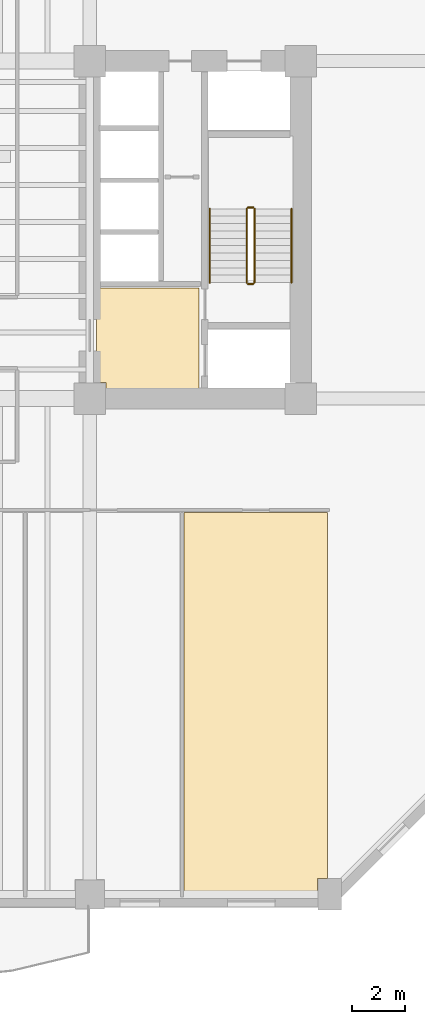
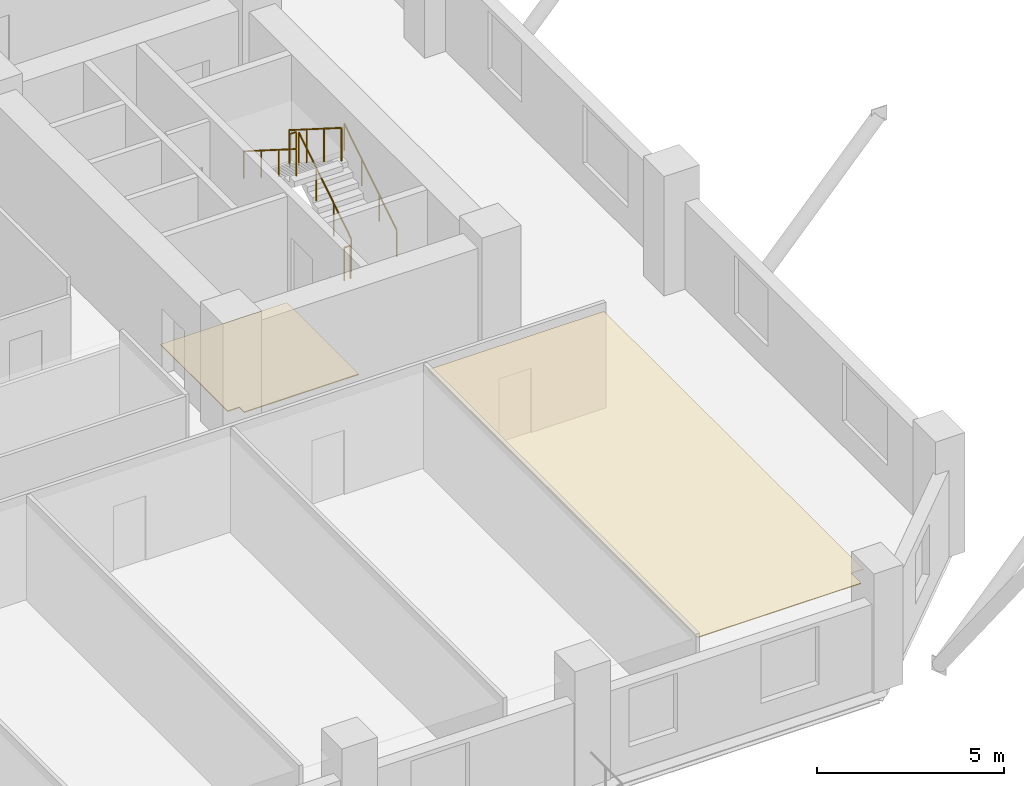
# One storey, part 11 of 13: 6 railings, 2 coverings.
"""IFC4 building model written with IfcOpenShell, lengths in metres."""

from ifc_helpers import new_model, si_unit, direction, frame, origin, origin_2d, place, context, subcontext, project, spatial, polyline, circle, outline, extrude, material, layer, layer_set, type_object, element, save


model = new_model("IFC4")

# Units and contexts
model_context = context("Model", 3, precision=1e-05, world=origin(), true_north=direction((0.0, 1.0)))
body_context = subcontext(model_context, "Body", "Model", "MODEL_VIEW")
ifc_project = project(units=[si_unit("LENGTHUNIT", "METRE"), si_unit("AREAUNIT", "SQUARE_METRE"), si_unit("VOLUMEUNIT", "CUBIC_METRE"), si_unit("PLANEANGLEUNIT", "RADIAN"), si_unit("MASSUNIT", "GRAM", prefix="KILO")], contexts=[model_context])

# Site, building, storey
site_placement = place(None, origin())
site = spatial("IfcSite", under=ifc_project, at=site_placement, CompositionType="ELEMENT")
building_placement = place(site_placement, origin())
building = spatial("IfcBuilding", under=site, at=building_placement, Name="Kranthara Brick Stack", CompositionType="ELEMENT")
storey_placement = place(building_placement, frame((0.0, 0.0, 43.800048828125)))
storey = spatial("IfcBuildingStorey", under=building, at=storey_placement, Name="L10", CompositionType="ELEMENT", Elevation=43.800048828125)

# Coverings
ifc_material_1 = material(Name="Perforated mineral-fibre acoustic ceiling tile", Category="other")
ifc_layer_1 = layer(ifc_material_1, 0.02490234375)
ifc_layer_set_1 = layer_set([ifc_layer_1], Name="Perforated mineral-fibre acoustic ceiling tile")
covering_type_1 = type_object("IfcCoveringType", Name="COV-CEIL-ACOUSTIC", PredefinedType="CEILING", material=ifc_layer_set_1)
covering_1_placement = place(storey_placement, frame((0.0, 0.0, 3.179931640625)))
element("IfcCovering", 1, at=covering_1_placement, inside=storey, type_object=covering_type_1, Name="L10 L10 Boardroom 6 Acoustic Ceiling", PredefinedType="CEILING", context=body_context, shape_type="SweptSolid", body=[
    extrude(outline(polyline([(38.780029296875, 2.070068359375), (38.780029296875, 16.47998046875), (44.219970703125, 16.47998046875), (44.219970703125, 2.610107421875), (43.840087890625, 2.610107421875), (43.840087890625, 2.070068359375), (38.780029296875, 2.070068359375)])), origin(), (0.0, 0.0, 1.0), 0.02490234375),
])
ifc_material_2 = material(Name="Honed terrazzo and porcelain floor finish", Category="stone")
ifc_layer_2 = layer(ifc_material_2, 0.030029296875)
ifc_layer_set_2 = layer_set([ifc_layer_2], Name="Honed terrazzo and porcelain floor finish")
covering_type_2 = type_object("IfcCoveringType", Name="COV-FLOR-STONE", PredefinedType="FLOORING", material=ifc_layer_set_2)
covering_2_placement = place(storey_placement, origin())
element("IfcCovering", 2, at=covering_2_placement, inside=storey, type_object=covering_type_2, Name="L10 Lift Lobby Stone Flooring", PredefinedType="FLOORING", context=body_context, shape_type="SweptSolid", body=[
    extrude(outline(polyline([(35.449951171875, 25.0), (39.35009765625, 25.0), (39.35009765625, 21.14990234375), (35.81005859375, 21.14990234375), (35.81005859375, 21.409912109375), (35.449951171875, 21.409912109375), (35.449951171875, 25.0)])), origin(), (0.0, 0.0, 1.0), 0.030029296875),
])

# Railings
ifc_material_3 = material(Name="Painted galvanized steel stair guardrail", Category="steel")
railing_type_1 = type_object("IfcRailingType", Name="RL-STAIR-GUARD-1100", PredefinedType="GUARDRAIL", material=ifc_material_3)
railing_1_placement = place(storey_placement, frame((41.449951171875, 25.199951171875, 0.17724609375)))
element("IfcRailing", 3, at=railing_1_placement, inside=storey, type_object=railing_type_1, Name="L10 ST02 stair guard 1", PredefinedType="GUARDRAIL", context=body_context, shape_type="SweptSolid", body=[
    extrude(circle(Radius=0.02392578125, at=origin_2d()), frame((0.0, 0.0, 1.076171875), z_axis=(0.0, 0.844908973607, 0.534910110503), x_axis=(-1.0, 0.0, 0.0)), (0.0, 0.0, 1.0), 3.31396484375),
    extrude(circle(Radius=0.02099609375, at=origin_2d()), origin(), (0.0, 0.0, 1.0), 1.052001953125),
    extrude(circle(Radius=0.02099609375, at=origin_2d()), frame((0.0, 0.933349609375, 0.5908203125)), (0.0, 0.0, 1.0), 1.052001953125),
    extrude(circle(Radius=0.02099609375, at=origin_2d()), frame((0.0, 1.86669921875, 1.181884765625)), (0.0, 0.0, 1.0), 1.052001953125),
    extrude(circle(Radius=0.02099609375, at=origin_2d()), frame((0.0, 2.800048828125, 1.772705078125)), (0.0, 0.0, 1.0), 1.052001953125),
])
railing_2_placement = place(storey_placement, frame((41.39990234375, 28.050048828125, 1.949951171875)))
element("IfcRailing", 4, at=railing_2_placement, inside=storey, type_object=railing_type_1, Name="L10 ST02 stair guard 2", PredefinedType="GUARDRAIL", context=body_context, shape_type="SweptSolid", body=[
    extrude(circle(Radius=0.02392578125, at=origin_2d()), frame((0.0, 0.0, 1.076171875), z_axis=(-1.0, 0.0, 0.0), x_axis=(0.0, -1.0, 0.0)), (0.0, 0.0, 1.0), 0.199951171875),
    extrude(circle(Radius=0.02099609375, at=origin_2d()), origin(), (0.0, 0.0, 1.0), 1.052001953125),
    extrude(circle(Radius=0.02099609375, at=origin_2d()), frame((-0.199951171875, 0.0, 0.0)), (0.0, 0.0, 1.0), 1.052001953125),
])
railing_3_placement = place(storey_placement, frame((41.14990234375, 28.0, 2.127197265625)))
element("IfcRailing", 5, at=railing_3_placement, inside=storey, type_object=railing_type_1, Name="L10 ST02 stair guard 3", PredefinedType="GUARDRAIL", context=body_context, shape_type="SweptSolid", body=[
    extrude(circle(Radius=0.02392578125, at=origin_2d()), frame((0.0, 0.0, 1.076171875), z_axis=(0.0, -0.844908973607, 0.534910110503), x_axis=(1.0, 0.0, 0.0)), (0.0, 0.0, 1.0), 3.31396484375),
    extrude(circle(Radius=0.02099609375, at=origin_2d()), origin(), (0.0, 0.0, 1.0), 1.052001953125),
    extrude(circle(Radius=0.02099609375, at=origin_2d()), frame((0.0, -0.933349609375, 0.5908203125)), (0.0, 0.0, 1.0), 1.052001953125),
    extrude(circle(Radius=0.02099609375, at=origin_2d()), frame((0.0, -1.86669921875, 1.181884765625)), (0.0, 0.0, 1.0), 1.052001953125),
    extrude(circle(Radius=0.02099609375, at=origin_2d()), frame((0.0, -2.800048828125, 1.772705078125)), (0.0, 0.0, 1.0), 1.052001953125),
])
railing_4_placement = place(storey_placement, frame((41.39990234375, 25.14990234375, 0.0)))
element("IfcRailing", 6, at=railing_4_placement, inside=storey, type_object=railing_type_1, Name="L10 ST02 stair guard 4", PredefinedType="GUARDRAIL", context=body_context, shape_type="SweptSolid", body=[
    extrude(circle(Radius=0.02392578125, at=origin_2d()), frame((0.0, 0.0, 1.076171875), z_axis=(-1.0, 0.0, 0.0), x_axis=(0.0, -1.0, 0.0)), (0.0, 0.0, 1.0), 0.199951171875),
    extrude(circle(Radius=0.02099609375, at=origin_2d()), origin(), (0.0, 0.0, 1.0), 1.052001953125),
    extrude(circle(Radius=0.02099609375, at=origin_2d()), frame((-0.199951171875, 0.0, 0.0)), (0.0, 0.0, 1.0), 1.052001953125),
])
ifc_material_4 = material(Name="Brushed stainless steel tubular handrail", Category="steel")
railing_type_2 = type_object("IfcRailingType", Name="RL-STAIR-HAND-900", PredefinedType="HANDRAIL", material=ifc_material_4)
railing_5_placement = place(storey_placement, frame((42.85009765625, 25.199951171875, 0.17724609375)))
element("IfcRailing", 7, at=railing_5_placement, inside=storey, type_object=railing_type_2, Name="L10 ST02 stair handrail 1", PredefinedType="HANDRAIL", context=body_context, shape_type="SweptSolid", body=[
    extrude(circle(Radius=0.02392578125, at=origin_2d()), frame((0.0, 0.0, 0.8759765625), z_axis=(0.0, 0.844908973607, 0.534910110503), x_axis=(-1.0, 0.0, 0.0)), (0.0, 0.0, 1.0), 3.31396484375),
    extrude(circle(Radius=0.02099609375, at=origin_2d()), origin(), (0.0, 0.0, 1.0), 0.851806640625),
    extrude(circle(Radius=0.02099609375, at=origin_2d()), frame((0.0, 0.933349609375, 0.5908203125)), (0.0, 0.0, 1.0), 0.851806640625),
    extrude(circle(Radius=0.02099609375, at=origin_2d()), frame((0.0, 1.86669921875, 1.181884765625)), (0.0, 0.0, 1.0), 0.851806640625),
    extrude(circle(Radius=0.02099609375, at=origin_2d()), frame((0.0, 2.800048828125, 1.772705078125)), (0.0, 0.0, 1.0), 0.851806640625),
])
railing_6_placement = place(storey_placement, frame((39.75, 28.0, 2.127197265625)))
element("IfcRailing", 8, at=railing_6_placement, inside=storey, type_object=railing_type_2, Name="L10 ST02 stair handrail 2", PredefinedType="HANDRAIL", context=body_context, shape_type="SweptSolid", body=[
    extrude(circle(Radius=0.02392578125, at=origin_2d()), frame((0.0, 0.0, 0.8759765625), z_axis=(0.0, -0.844908973607, 0.534910110503), x_axis=(1.0, 0.0, 0.0)), (0.0, 0.0, 1.0), 3.31396484375),
    extrude(circle(Radius=0.02099609375, at=origin_2d()), origin(), (0.0, 0.0, 1.0), 0.851806640625),
    extrude(circle(Radius=0.02099609375, at=origin_2d()), frame((0.0, -0.933349609375, 0.5908203125)), (0.0, 0.0, 1.0), 0.851806640625),
    extrude(circle(Radius=0.02099609375, at=origin_2d()), frame((0.0, -1.86669921875, 1.181884765625)), (0.0, 0.0, 1.0), 0.851806640625),
    extrude(circle(Radius=0.02099609375, at=origin_2d()), frame((0.0, -2.800048828125, 1.772705078125)), (0.0, 0.0, 1.0), 0.851806640625),
])

save(model, "model.ifc")
